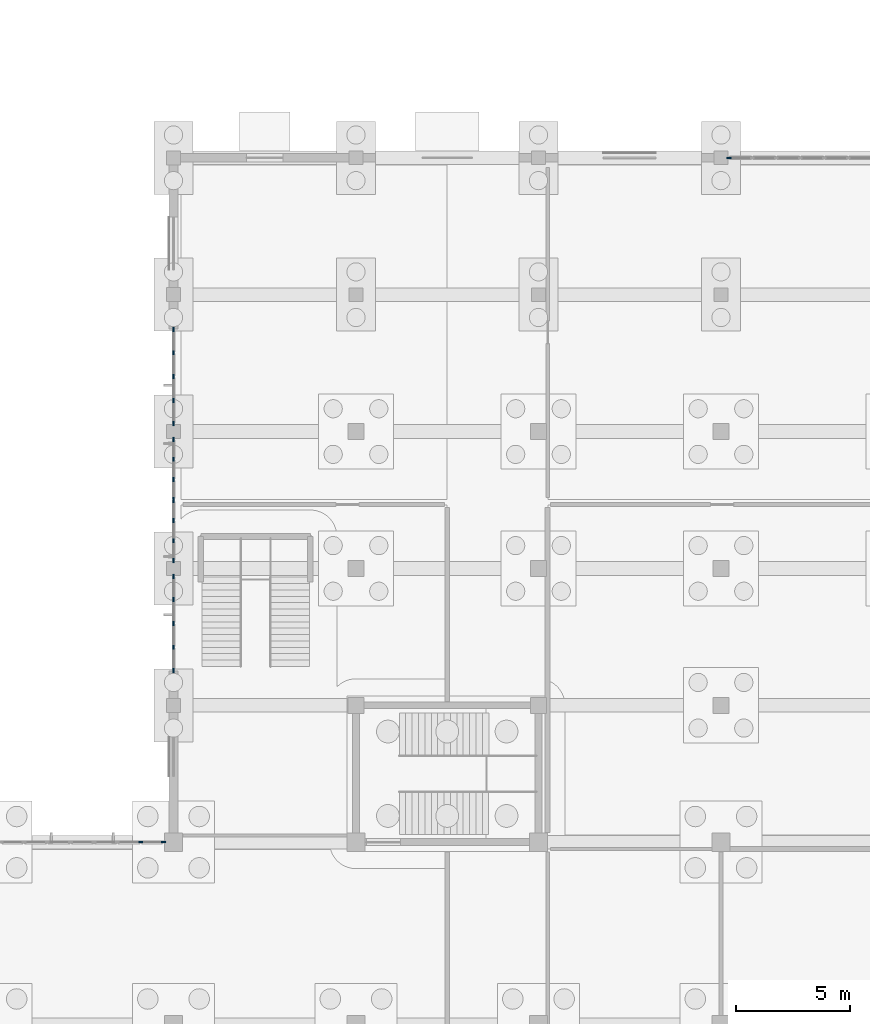
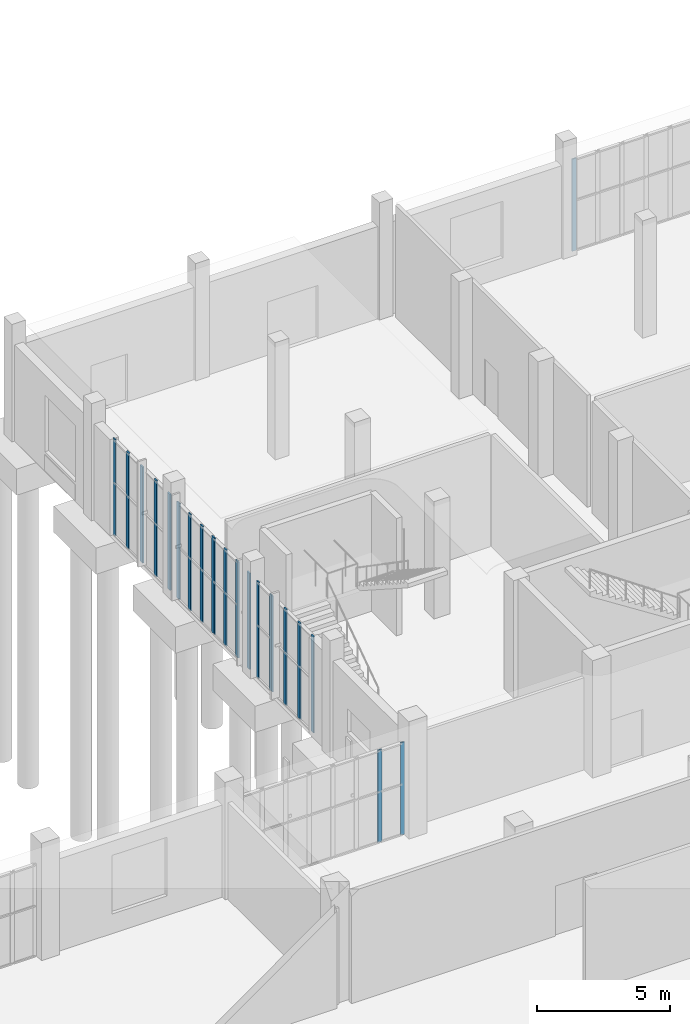
# One storey, part 13 of 69: 21 members, 6 elements without a shape of their own.
"""IFC4 building model written with IfcOpenShell, lengths in metres."""

from ifc_helpers import new_model, si_unit, direction, frame, origin, origin_2d, place, context, subcontext, project, spatial, rectangle, extrude, material, layer, layer_set, material_profile, profile_set, type_object, element, aggregate, save


model = new_model("IFC4")

# Units and contexts
model_context = context("Model", 3, precision=1e-05, world=origin(), true_north=direction((0.0, 1.0)))
body_context = subcontext(model_context, "Body", "Model", "MODEL_VIEW")
ifc_project = project(units=[si_unit("LENGTHUNIT", "METRE"), si_unit("AREAUNIT", "SQUARE_METRE"), si_unit("VOLUMEUNIT", "CUBIC_METRE"), si_unit("PLANEANGLEUNIT", "RADIAN"), si_unit("MASSUNIT", "GRAM", prefix="KILO")], contexts=[model_context])

# Site, building, storey
site_placement = place(None, origin())
site = spatial("IfcSite", under=ifc_project, at=site_placement, CompositionType="ELEMENT")
building_placement = place(site_placement, origin())
building = spatial("IfcBuilding", under=site, at=building_placement, Name="Solvane Community Centre", CompositionType="ELEMENT")
storey_placement = place(building_placement, origin())
storey = spatial("IfcBuildingStorey", under=building, at=storey_placement, Name="L00", CompositionType="ELEMENT", Elevation=0.0)

# Curtain wall, members
ifc_material = material(Name="Anodised bronze aluminium AW-6063 T6", Category="aluminium")
ifc_layer_1 = layer(ifc_material, 0.18994140625)
ifc_layer_set_1 = layer_set([ifc_layer_1], Name="Anodised bronze aluminium AW-6063 T6")
curtain_wall_type_1 = type_object("IfcCurtainWallType", Name="Boulevard Bronze Vision Curtain Wall [72x42dm]", PredefinedType="NOTDEFINED", material=ifc_layer_set_1)
curtain_wall_1_placement = place(storey_placement, origin())
curtain_wall_1 = element("IfcCurtainWall", 1, at=curtain_wall_1_placement, inside=storey, type_object=curtain_wall_type_1, Name="Curtain Wall CW-L00-1004_300-025", PredefinedType="NOTDEFINED")
ifc_material_profile = material_profile(ifc_material, rectangle(XDim=0.06005859375, YDim=0.18994140625, at=origin_2d()), Name="CW-M 60x190")
ifc_profile_set = profile_set([ifc_material_profile], Name="Anodised bronze aluminium AW-6063 T6")
member_type = type_object("IfcMemberType", Name="Boulevard Mullion 60x190", PredefinedType="MULLION", material=ifc_profile_set)
member_1_placement = place(storey_placement, frame((106.560791015625, 30.0, 0.0), z_axis=(0.0, 0.0, 1.0), x_axis=(0.0, 1.0, 0.0)))
member_1 = element("IfcMember", 2, at=member_1_placement, type_object=member_type, Name="CW02-72x42 mullion 7", PredefinedType="MULLION", context=body_context, shape_type="SweptSolid", body=[
    extrude(rectangle(XDim=0.06005859375, YDim=0.18994140625, at=origin_2d()), origin(), (0.0, 0.0, 1.0), 4.2451171875),
])
member_2_placement = place(storey_placement, frame((107.554931640625, 30.0, 0.0), z_axis=(0.0, 0.0, 1.0), x_axis=(0.0, 1.0, 0.0)))
member_2 = element("IfcMember", 3, at=member_2_placement, type_object=member_type, Name="CW02-72x42 mullion 8", PredefinedType="MULLION", context=body_context, shape_type="SweptSolid", body=[
    extrude(rectangle(XDim=0.06005859375, YDim=0.18994140625, at=origin_2d()), origin(), (0.0, 0.0, 1.0), 4.2451171875),
])
aggregate(curtain_wall_1, [member_1, member_2])

ifc_layer_2 = layer(ifc_material, 0.18994140625)
ifc_layer_set_2 = layer_set([ifc_layer_2], Name="Anodised bronze aluminium AW-6063 T6")
curtain_wall_type_2 = type_object("IfcCurtainWallType", Name="Boulevard Bronze Vision Curtain Wall [42x44dm]", PredefinedType="NOTDEFINED", material=ifc_layer_set_2)
curtain_wall_2_placement = place(storey_placement, origin())
curtain_wall_2 = element("IfcCurtainWall", 4, at=curtain_wall_2_placement, inside=storey, type_object=curtain_wall_type_2, Name="Curtain Wall CW-L00-1080_375-026", PredefinedType="NOTDEFINED")
member_3_placement = place(storey_placement, frame((108.0, 37.530029296875, 0.0), z_axis=(0.0, 0.0, 1.0), x_axis=(-1.0, 0.0, 0.0)))
member_3 = element("IfcMember", 5, at=member_3_placement, type_object=member_type, Name="CW02-42x44 mullion 1", PredefinedType="MULLION", context=body_context, shape_type="SweptSolid", body=[
    extrude(rectangle(XDim=0.06005859375, YDim=0.18994140625, at=origin_2d()), origin(), (0.0, 0.0, 1.0), 4.425048828125),
])
member_4_placement = place(storey_placement, frame((108.0, 38.544921875, 0.0), z_axis=(0.0, 0.0, 1.0), x_axis=(-1.0, 0.0, 0.0)))
member_4 = element("IfcMember", 6, at=member_4_placement, type_object=member_type, Name="CW02-42x44 mullion 2", PredefinedType="MULLION", context=body_context, shape_type="SweptSolid", body=[
    extrude(rectangle(XDim=0.06005859375, YDim=0.18994140625, at=origin_2d()), origin(), (0.0, 0.0, 1.0), 4.425048828125),
])
member_5_placement = place(storey_placement, frame((108.0, 39.590087890625, 0.0), z_axis=(0.0, 0.0, 1.0), x_axis=(-1.0, 0.0, 0.0)))
member_5 = element("IfcMember", 7, at=member_5_placement, type_object=member_type, Name="CW02-42x44 mullion 3", PredefinedType="MULLION", context=body_context, shape_type="SweptSolid", body=[
    extrude(rectangle(XDim=0.06005859375, YDim=0.18994140625, at=origin_2d()), origin(), (0.0, 0.0, 1.0), 4.425048828125),
])
member_6_placement = place(storey_placement, frame((108.0, 40.635009765625, 0.0), z_axis=(0.0, 0.0, 1.0), x_axis=(-1.0, 0.0, 0.0)))
member_6 = element("IfcMember", 8, at=member_6_placement, type_object=member_type, Name="CW02-42x44 mullion 4", PredefinedType="MULLION", context=body_context, shape_type="SweptSolid", body=[
    extrude(rectangle(XDim=0.06005859375, YDim=0.18994140625, at=origin_2d()), origin(), (0.0, 0.0, 1.0), 4.425048828125),
])
member_7_placement = place(storey_placement, frame((108.0, 41.64990234375, 0.0), z_axis=(0.0, 0.0, 1.0), x_axis=(-1.0, 0.0, 0.0)))
member_7 = element("IfcMember", 9, at=member_7_placement, type_object=member_type, Name="CW02-42x44 mullion 5", PredefinedType="MULLION", context=body_context, shape_type="SweptSolid", body=[
    extrude(rectangle(XDim=0.06005859375, YDim=0.18994140625, at=origin_2d()), origin(), (0.0, 0.0, 1.0), 4.425048828125),
])
aggregate(curtain_wall_2, [member_3, member_4, member_5, member_6, member_7])

ifc_layer_3 = layer(ifc_material, 0.18994140625)
ifc_layer_set_3 = layer_set([ifc_layer_3], Name="Anodised bronze aluminium AW-6063 T6")
curtain_wall_type_3 = type_object("IfcCurtainWallType", Name="Boulevard Bronze Vision Curtain Wall [27x44dm]", PredefinedType="NOTDEFINED", material=ifc_layer_set_3)
curtain_wall_3_placement = place(storey_placement, origin())
curtain_wall_3 = element("IfcCurtainWall", 10, at=curtain_wall_3_placement, inside=storey, type_object=curtain_wall_type_3, Name="Curtain Wall CW-L00-1080_423-027", PredefinedType="NOTDEFINED")
member_8_placement = place(storey_placement, frame((108.0, 42.35009765625, 0.0), z_axis=(0.0, 0.0, 1.0), x_axis=(-1.0, 0.0, 0.0)))
member_8 = element("IfcMember", 11, at=member_8_placement, type_object=member_type, Name="CW02-27x44 mullion 1", PredefinedType="MULLION", context=body_context, shape_type="SweptSolid", body=[
    extrude(rectangle(XDim=0.06005859375, YDim=0.18994140625, at=origin_2d()), origin(), (0.0, 0.0, 1.0), 4.425048828125),
])
member_9_placement = place(storey_placement, frame((108.0, 43.21337890625, 0.0), z_axis=(0.0, 0.0, 1.0), x_axis=(-1.0, 0.0, 0.0)))
member_9 = element("IfcMember", 12, at=member_9_placement, type_object=member_type, Name="CW02-27x44 mullion 2", PredefinedType="MULLION", context=body_context, shape_type="SweptSolid", body=[
    extrude(rectangle(XDim=0.06005859375, YDim=0.18994140625, at=origin_2d()), origin(), (0.0, 0.0, 1.0), 4.425048828125),
])
member_10_placement = place(storey_placement, frame((108.0, 44.106689453125, 0.0), z_axis=(0.0, 0.0, 1.0), x_axis=(-1.0, 0.0, 0.0)))
member_10 = element("IfcMember", 13, at=member_10_placement, type_object=member_type, Name="CW02-27x44 mullion 3", PredefinedType="MULLION", context=body_context, shape_type="SweptSolid", body=[
    extrude(rectangle(XDim=0.06005859375, YDim=0.18994140625, at=origin_2d()), origin(), (0.0, 0.0, 1.0), 4.425048828125),
])
member_11_placement = place(storey_placement, frame((108.0, 44.969970703125, 0.0), z_axis=(0.0, 0.0, 1.0), x_axis=(-1.0, 0.0, 0.0)))
member_11 = element("IfcMember", 14, at=member_11_placement, type_object=member_type, Name="CW02-27x44 mullion 4", PredefinedType="MULLION", context=body_context, shape_type="SweptSolid", body=[
    extrude(rectangle(XDim=0.06005859375, YDim=0.18994140625, at=origin_2d()), origin(), (0.0, 0.0, 1.0), 4.425048828125),
])
aggregate(curtain_wall_3, [member_8, member_9, member_10, member_11])

curtain_wall_4_placement = place(storey_placement, origin())
curtain_wall_4 = element("IfcCurtainWall", 15, at=curtain_wall_4_placement, inside=storey, type_object=curtain_wall_type_3, Name="Curtain Wall CW-L00-1080_450-028", PredefinedType="NOTDEFINED")
member_12_placement = place(storey_placement, frame((108.0, 45.030029296875, 0.0), z_axis=(0.0, 0.0, 1.0), x_axis=(-1.0, 0.0, 0.0)))
member_12 = element("IfcMember", 16, at=member_12_placement, type_object=member_type, Name="CW02-27x44 mullion 1", PredefinedType="MULLION", context=body_context, shape_type="SweptSolid", body=[
    extrude(rectangle(XDim=0.06005859375, YDim=0.18994140625, at=origin_2d()), origin(), (0.0, 0.0, 1.0), 4.425048828125),
])
member_13_placement = place(storey_placement, frame((108.0, 45.893310546875, 0.0), z_axis=(0.0, 0.0, 1.0), x_axis=(-1.0, 0.0, 0.0)))
member_13 = element("IfcMember", 17, at=member_13_placement, type_object=member_type, Name="CW02-27x44 mullion 2", PredefinedType="MULLION", context=body_context, shape_type="SweptSolid", body=[
    extrude(rectangle(XDim=0.06005859375, YDim=0.18994140625, at=origin_2d()), origin(), (0.0, 0.0, 1.0), 4.425048828125),
])
member_14_placement = place(storey_placement, frame((108.0, 46.78662109375, 0.0), z_axis=(0.0, 0.0, 1.0), x_axis=(-1.0, 0.0, 0.0)))
member_14 = element("IfcMember", 18, at=member_14_placement, type_object=member_type, Name="CW02-27x44 mullion 3", PredefinedType="MULLION", context=body_context, shape_type="SweptSolid", body=[
    extrude(rectangle(XDim=0.06005859375, YDim=0.18994140625, at=origin_2d()), origin(), (0.0, 0.0, 1.0), 4.425048828125),
])
member_15_placement = place(storey_placement, frame((108.0, 47.64990234375, 0.0), z_axis=(0.0, 0.0, 1.0), x_axis=(-1.0, 0.0, 0.0)))
member_15 = element("IfcMember", 19, at=member_15_placement, type_object=member_type, Name="CW02-27x44 mullion 4", PredefinedType="MULLION", context=body_context, shape_type="SweptSolid", body=[
    extrude(rectangle(XDim=0.06005859375, YDim=0.18994140625, at=origin_2d()), origin(), (0.0, 0.0, 1.0), 4.425048828125),
])
aggregate(curtain_wall_4, [member_12, member_13, member_14, member_15])

curtain_wall_5_placement = place(storey_placement, origin())
curtain_wall_5 = element("IfcCurtainWall", 20, at=curtain_wall_5_placement, inside=storey, type_object=curtain_wall_type_2, Name="Curtain Wall CW-L00-1080_483-029", PredefinedType="NOTDEFINED")
member_16_placement = place(storey_placement, frame((108.0, 48.35009765625, 0.0), z_axis=(0.0, 0.0, 1.0), x_axis=(-1.0, 0.0, 0.0)))
member_16 = element("IfcMember", 21, at=member_16_placement, type_object=member_type, Name="CW02-42x44 mullion 1", PredefinedType="MULLION", context=body_context, shape_type="SweptSolid", body=[
    extrude(rectangle(XDim=0.06005859375, YDim=0.18994140625, at=origin_2d()), origin(), (0.0, 0.0, 1.0), 4.425048828125),
])
member_17_placement = place(storey_placement, frame((108.0, 49.364990234375, 0.0), z_axis=(0.0, 0.0, 1.0), x_axis=(-1.0, 0.0, 0.0)))
member_17 = element("IfcMember", 22, at=member_17_placement, type_object=member_type, Name="CW02-42x44 mullion 2", PredefinedType="MULLION", context=body_context, shape_type="SweptSolid", body=[
    extrude(rectangle(XDim=0.06005859375, YDim=0.18994140625, at=origin_2d()), origin(), (0.0, 0.0, 1.0), 4.425048828125),
])
member_18_placement = place(storey_placement, frame((108.0, 50.409912109375, 0.0), z_axis=(0.0, 0.0, 1.0), x_axis=(-1.0, 0.0, 0.0)))
member_18 = element("IfcMember", 23, at=member_18_placement, type_object=member_type, Name="CW02-42x44 mullion 3", PredefinedType="MULLION", context=body_context, shape_type="SweptSolid", body=[
    extrude(rectangle(XDim=0.06005859375, YDim=0.18994140625, at=origin_2d()), origin(), (0.0, 0.0, 1.0), 4.425048828125),
])
member_19_placement = place(storey_placement, frame((108.0, 51.455078125, 0.0), z_axis=(0.0, 0.0, 1.0), x_axis=(-1.0, 0.0, 0.0)))
member_19 = element("IfcMember", 24, at=member_19_placement, type_object=member_type, Name="CW02-42x44 mullion 4", PredefinedType="MULLION", context=body_context, shape_type="SweptSolid", body=[
    extrude(rectangle(XDim=0.06005859375, YDim=0.18994140625, at=origin_2d()), origin(), (0.0, 0.0, 1.0), 4.425048828125),
])
member_20_placement = place(storey_placement, frame((108.0, 52.469970703125, 0.0), z_axis=(0.0, 0.0, 1.0), x_axis=(-1.0, 0.0, 0.0)))
member_20 = element("IfcMember", 25, at=member_20_placement, type_object=member_type, Name="CW02-42x44 mullion 5", PredefinedType="MULLION", context=body_context, shape_type="SweptSolid", body=[
    extrude(rectangle(XDim=0.06005859375, YDim=0.18994140625, at=origin_2d()), origin(), (0.0, 0.0, 1.0), 4.425048828125),
])
aggregate(curtain_wall_5, [member_16, member_17, member_18, member_19, member_20])

# Curtain wall, member
ifc_layer_4 = layer(ifc_material, 0.18994140625)
ifc_layer_set_4 = layer_set([ifc_layer_4], Name="Anodised bronze aluminium AW-6063 T6")
curtain_wall_type_4 = type_object("IfcCurtainWallType", Name="Boulevard Bronze Vision Curtain Wall [74x42dm]", PredefinedType="NOTDEFINED", material=ifc_layer_set_4)
curtain_wall_6_placement = place(storey_placement, origin())
curtain_wall_6 = element("IfcCurtainWall", 26, at=curtain_wall_6_placement, inside=storey, type_object=curtain_wall_type_4, Name="Curtain Wall CW-L00-1323_600-030", PredefinedType="NOTDEFINED")
member_21_placement = place(storey_placement, frame((132.344970703125, 60.0, 0.0), z_axis=(0.0, 0.0, 1.0), x_axis=(0.0, 1.0, 0.0)))
member_21 = element("IfcMember", 27, at=member_21_placement, type_object=member_type, Name="CW02-74x42 mullion 1", PredefinedType="MULLION", context=body_context, shape_type="SweptSolid", body=[
    extrude(rectangle(XDim=0.06005859375, YDim=0.18994140625, at=origin_2d()), origin(), (0.0, 0.0, 1.0), 4.2451171875),
])
aggregate(curtain_wall_6, [member_21])

save(model, "model.ifc")
